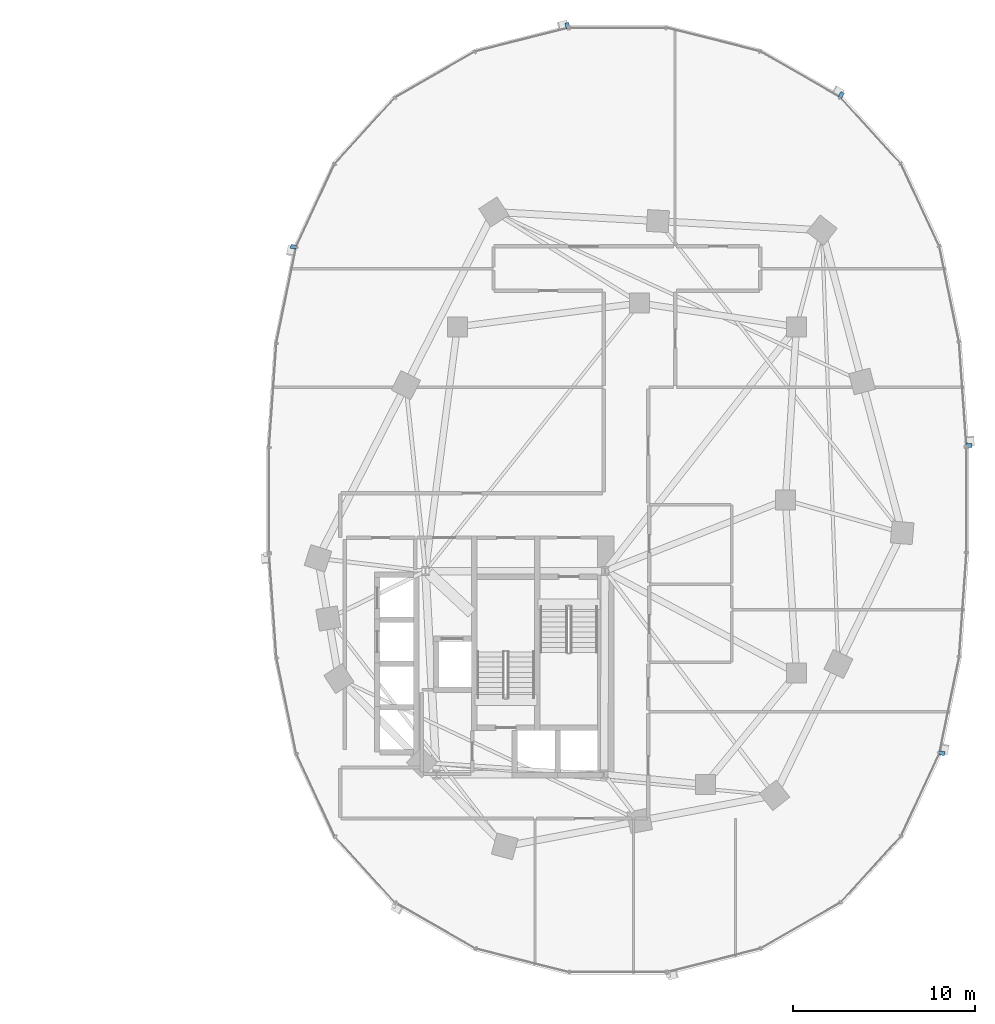
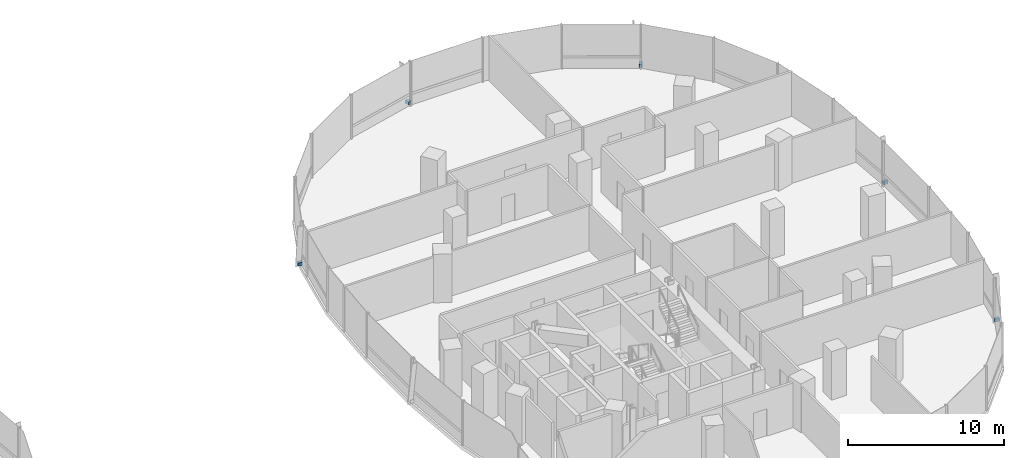
# One storey, part 17 of 22: 5 discrete accessories.
"""IFC4 building model written with IfcOpenShell, lengths in metres."""

from ifc_helpers import new_model, si_unit, direction, frame, origin, origin_2d, place, context, subcontext, project, spatial, rectangle, extrude, material, type_object, element, save


model = new_model("IFC4")

# Units and contexts
model_context = context("Model", 3, precision=1e-05, world=origin(), true_north=direction((0.0, 1.0)))
body_context = subcontext(model_context, "Body", "Model", "MODEL_VIEW")
ifc_project = project(units=[si_unit("LENGTHUNIT", "METRE"), si_unit("AREAUNIT", "SQUARE_METRE"), si_unit("VOLUMEUNIT", "CUBIC_METRE"), si_unit("PLANEANGLEUNIT", "RADIAN"), si_unit("MASSUNIT", "GRAM", prefix="KILO"), si_unit("THERMODYNAMICTEMPERATUREUNIT", "KELVIN"), si_unit("POWERUNIT", "WATT")], contexts=[model_context])

# Site, building, storey
site_placement = place(None, origin())
site = spatial("IfcSite", under=ifc_project, at=site_placement, CompositionType="ELEMENT")
building_placement = place(site_placement, origin())
building = spatial("IfcBuilding", under=site, at=building_placement, Name="Cundina Bronze Exchange", CompositionType="ELEMENT")
storey_placement = place(building_placement, frame((0.0, 0.0, 43.0)))
storey = spatial("IfcBuildingStorey", under=building, at=storey_placement, Name="L10", CompositionType="ELEMENT", Elevation=43.0)

# Discrete accessories
ifc_material = material(Name="Anodised Bronze Aluminium 6063-T6", Category="aluminium")
discrete_accessory_type = type_object("IfcDiscreteAccessoryType", Name="ACC-BRK-FIN", PredefinedType="BRACKET", material=ifc_material)
for number, where, z_axis, x_axis, name in (
    (1, (51.264404296875, 2.986083984375, 0.10009765625), (0.0, 0.0, 1.0), (-0.070278787473, 0.997527389113, 0.0), "L10 Fin Support Bracket 1"),
    (2, (44.259521484375, 22.21875, 0.10009765625), (0.0, 0.0, 1.0), (-0.867105478933, 0.498124571171, 0.0), "L10 Fin Support Bracket 5"),
    (3, (29.23974609375, 26.03173828125, 0.10009765625), (0.0, 0.0, 1.0), (-0.969488149345, -0.245138182011, 0.0), "L10 Fin Support Bracket 1"),
    (4, (14.211669921875, 13.8896484375, 0.10009765625), (0.0, 0.0, 1.0), (-0.201419845156, -0.979505000486, 0.0), "L10 Fin Support Bracket 5"),
    (5, (49.788330078125, -13.8896484375, 0.10009765625), (0.0, 0.0, 1.0), (0.201419845156, 0.979505000486, 0.0), "L10 Fin Support Bracket 5"),
):
    element("IfcDiscreteAccessory", number, at=place(storey_placement, frame(where, z_axis=z_axis, x_axis=x_axis)), inside=storey, type_object=discrete_accessory_type, Name=name, PredefinedType="BRACKET", context=body_context, shape_type="SweptSolid", body=[
        extrude(rectangle(XDim=0.219970703125, YDim=0.320068359375, at=origin_2d()), origin(), (0.0, 0.0, 1.0), 0.239990234375),
    ])

save(model, "model.ifc")
